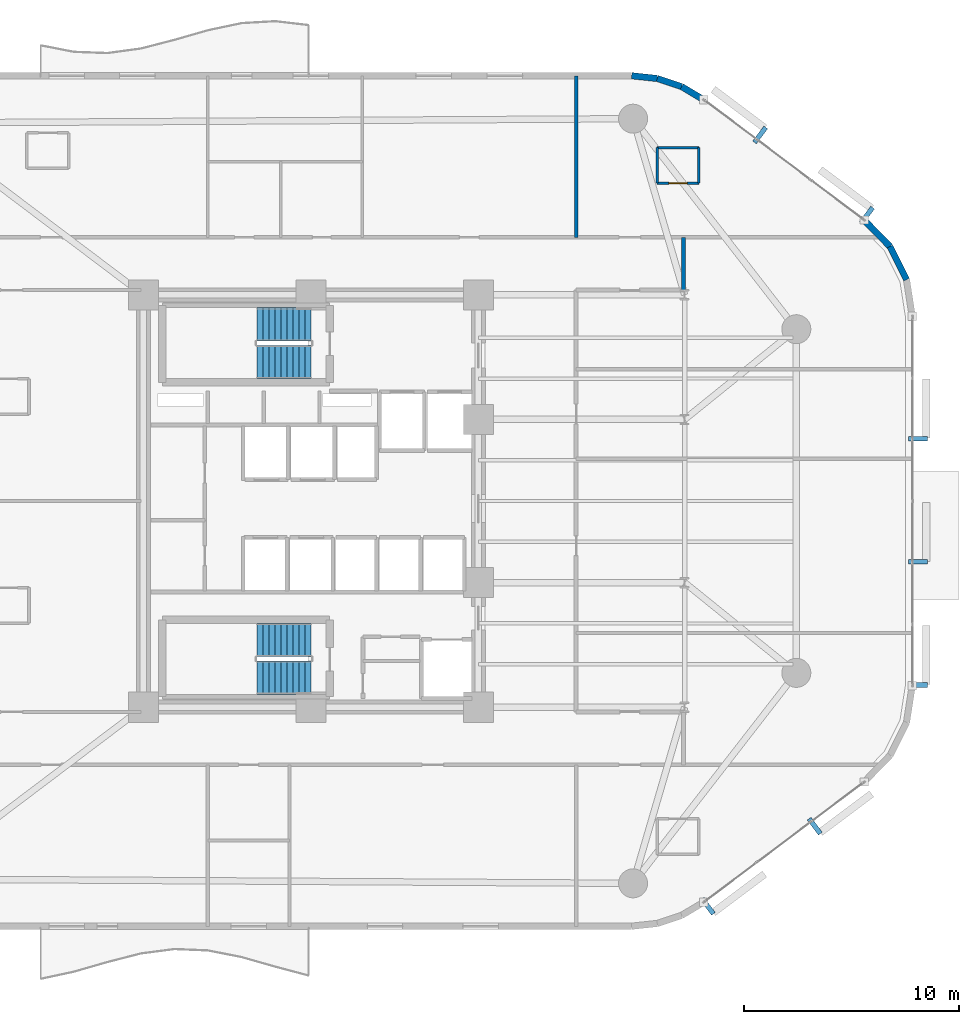
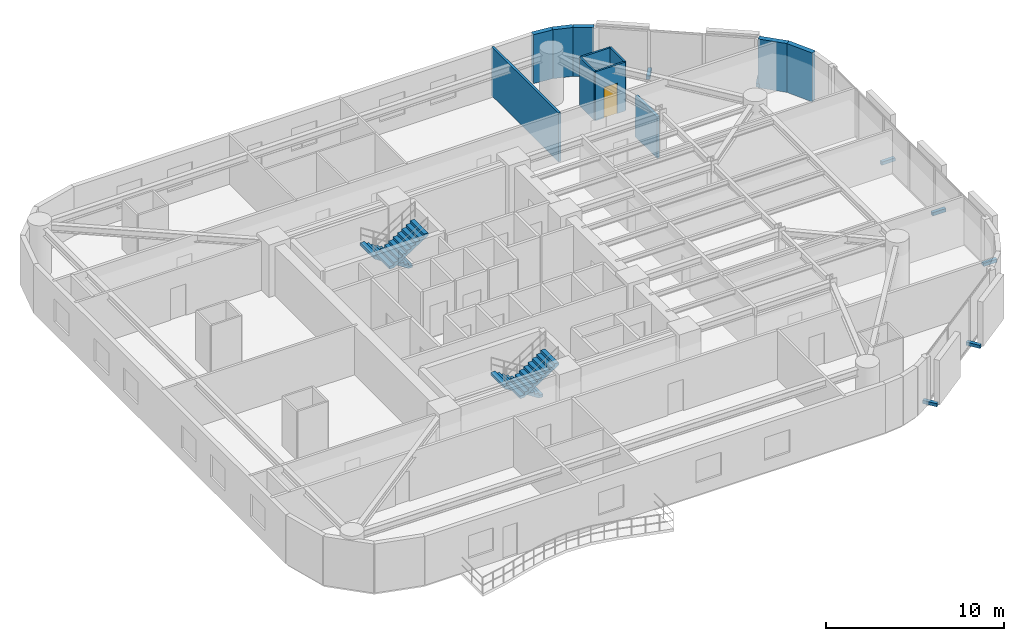
# One storey, part 13 of 15: 11 walls, 7 discrete accessories, 4 stair flights, 1 door, 1 opening, 2 elements without a shape of their own.
"""IFC4 building model written with IfcOpenShell, lengths in metres."""

from ifc_helpers import new_model, si_unit, direction, frame, frame_2d, origin, origin_2d, place, context, subcontext, project, spatial, polyline, rectangle, outline, extrude, material, layer, layer_set, type_object, element, fill, aggregate, save


model = new_model("IFC4")

# Units and contexts
model_context = context("Model", 3, precision=1e-05, world=origin(), true_north=direction((0.0, 1.0)))
body_context = subcontext(model_context, "Body", "Model", "MODEL_VIEW")
ifc_project = project(units=[si_unit("LENGTHUNIT", "METRE"), si_unit("AREAUNIT", "SQUARE_METRE"), si_unit("VOLUMEUNIT", "CUBIC_METRE"), si_unit("PLANEANGLEUNIT", "RADIAN"), si_unit("MASSUNIT", "GRAM", prefix="KILO")], contexts=[model_context])

# Site, building, storey
site_placement = place(None, origin())
site = spatial("IfcSite", under=ifc_project, at=site_placement, CompositionType="ELEMENT")
building_placement = place(site_placement, origin())
building = spatial("IfcBuilding", under=site, at=building_placement, Name="An Khanh Terracotta Commons", CompositionType="ELEMENT")
storey_placement = place(building_placement, frame((0.0, 0.0, 129.5)))
storey = spatial("IfcBuildingStorey", under=building, at=storey_placement, Name="L34", CompositionType="ELEMENT", Elevation=129.5)

# Walls
ifc_material_1 = material(Name="Fire-Rated Gypsum Board on Steel Stud", Category="steel")
ifc_layer_1 = layer(ifc_material_1, 0.179931640625, Name="Fire-Rated Gypsum Board on Steel Stud")
ifc_layer_set_1 = layer_set([ifc_layer_1], Name="Fire-Rated Gypsum Board on Steel Stud")
wall_type_1 = type_object("IfcWallType", Name="WALL-CORR-180", PredefinedType="PARTITIONING", material=ifc_layer_set_1)
wall_1_placement = place(storey_placement, frame((46.75, 33.820068359375, 0.0), z_axis=(0.0, 0.0, 1.0), x_axis=(0.0, 1.0, 0.0)))
element("IfcWall", 1, at=wall_1_placement, inside=storey, type_object=wall_type_1, Name="L34 Interior Partition IW-L34-E024", PredefinedType="PARTITIONING", context=body_context, shape_type="SweptSolid", body=[
    extrude(rectangle(XDim=2.4599609375, YDim=0.179931640625, at=frame_2d((1.22998046875, 0.0))), origin(), (0.0, 0.0, 1.0), 2.842041015625),
])
ifc_material_2 = material(Name="Precast concrete C40/50", Category="concrete")
ifc_layer_2 = layer(ifc_material_2, 0.300048828125, Name="Precast concrete C40/50")
ifc_layer_set_2 = layer_set([ifc_layer_2], Name="Precast concrete C40/50")
wall_type_2 = type_object("IfcWallType", Name="WALL-EXT-300", PredefinedType="SOLIDWALL", material=ifc_layer_set_2)
for number, where, z_axis, x_axis, name in (
    (2, (57.135009765625, 34.303955078125, 0.0), (0.0, 0.0, 1.0), (-0.4472135955, 0.894427191, 0.0), "L34 Insulated Terracotta Exterior Wall 14"),
    (3, (56.364013671875, 35.845947265625, 0.0), (0.0, 0.0, 1.0), (-0.6983450845, 0.715761233201, 0.0), "L34 Insulated Terracotta Exterior Wall 15"),
):
    element("IfcWall", number, at=place(storey_placement, frame(where, z_axis=z_axis, x_axis=x_axis)), inside=storey, type_object=wall_type_2, Name=name, PredefinedType="SOLIDWALL", context=body_context, shape_type="SweptSolid", body=[
        extrude(rectangle(XDim=1.72412109375, YDim=0.300048828125, at=frame_2d((0.862060546875, 0.0))), origin(), (0.0, 0.0, 1.0), 3.360107421875),
    ])
wall_2_placement = place(storey_placement, frame((47.693115234375, 42.679931640625, 0.0), z_axis=(0.0, 0.0, 1.0), x_axis=(-0.859320591642, 0.511437308749, 0.0)))
element("IfcWall", 4, at=wall_2_placement, inside=storey, type_object=wall_type_2, Name="L34 Insulated Terracotta Exterior Wall 17", PredefinedType="SOLIDWALL", context=body_context, shape_type="SweptSolid", body=[
    extrude(rectangle(XDim=1.19873046875, YDim=0.300048828125, at=frame_2d((0.599365234375, 0.0))), origin(), (0.0, 0.0, 1.0), 3.360107421875),
])
wall_3_placement = place(storey_placement, frame((46.6630859375, 43.29296875, 0.0), z_axis=(0.0, 0.0, 1.0), x_axis=(-0.948744332129, 0.316044604847, 0.0)))
element("IfcWall", 5, at=wall_3_placement, inside=storey, type_object=wall_type_2, Name="L34 Insulated Terracotta Exterior Wall 18", PredefinedType="SOLIDWALL", context=body_context, shape_type="SweptSolid", body=[
    extrude(rectangle(XDim=1.19970703125, YDim=0.300048828125, at=frame_2d((0.599853515625, 0.0))), origin(), (0.0, 0.0, 1.0), 3.360107421875),
])
wall_4_placement = place(storey_placement, frame((45.52490234375, 43.672119140625, 0.0), z_axis=(0.0, 0.0, 1.0), x_axis=(-0.994289103787, 0.106720092254, 0.0)))
element("IfcWall", 6, at=wall_4_placement, inside=storey, type_object=wall_type_2, Name="L34 Insulated Terracotta Exterior Wall 19", PredefinedType="SOLIDWALL", context=body_context, shape_type="SweptSolid", body=[
    extrude(rectangle(XDim=1.19873046875, YDim=0.300048828125, at=frame_2d((0.599365234375, 0.0))), origin(), (0.0, 0.0, 1.0), 3.360107421875),
])
ifc_material_3 = material(Name="Acoustic Gypsum Board Partition")
ifc_layer_3 = layer(ifc_material_3, 0.14990234375, Name="Acoustic Gypsum Board Partition")
ifc_layer_set_3 = layer_set([ifc_layer_3], Name="Acoustic Gypsum Board Partition")
wall_type_3 = type_object("IfcWallType", Name="WALL-PART-150", PredefinedType="PARTITIONING", material=ifc_layer_set_3)
wall_5_placement = place(storey_placement, frame((41.75, 36.280029296875, 0.0), z_axis=(0.0, 0.0, 1.0), x_axis=(0.0, 1.0, 0.0)))
element("IfcWall", 7, at=wall_5_placement, inside=storey, type_object=wall_type_3, Name="L34 Interior Partition IW-L34-E022", PredefinedType="PARTITIONING", context=body_context, shape_type="SweptSolid", body=[
    extrude(rectangle(XDim=7.52001953125, YDim=0.14990234375, at=frame_2d((3.760009765625, 0.0))), origin(), (0.0, 0.0, 1.0), 3.360107421875),
])
ifc_material_4 = material(Name="Moisture-Resistant Cement Board Partition")
ifc_layer_4 = layer(ifc_material_4, 0.1201171875, Name="Moisture-Resistant Cement Board Partition")
ifc_layer_set_4 = layer_set([ifc_layer_4], Name="Moisture-Resistant Cement Board Partition")
wall_type_4 = type_object("IfcWallType", Name="WALL-WET-120", PredefinedType="PARTITIONING", material=ifc_layer_set_4)
wall_6_placement = place(storey_placement, frame((45.51611328125, 40.450927734375, 0.0), z_axis=(0.0, 0.0, 1.0), x_axis=(1.0, 0.0, 0.0)))
element("IfcWall", 8, at=wall_6_placement, inside=storey, type_object=wall_type_4, Name="L34 Interior Partition IW-L34-FANN-BN", PredefinedType="PARTITIONING", context=body_context, shape_type="SweptSolid", body=[
    extrude(rectangle(XDim=1.949951171875, YDim=0.1201171875, at=frame_2d((0.97509765625, 0.0))), origin(), (0.0, 0.0, 1.0), 3.360107421875),
])

# Wall, opening, door
wall_7_placement = place(storey_placement, frame((47.466064453125, 38.801025390625, 0.0), z_axis=(0.0, 0.0, 1.0), x_axis=(-1.0, 0.0, 0.0)))
wall_7 = element("IfcWall", 9, at=wall_7_placement, inside=storey, type_object=wall_type_4, Name="L34 Interior Partition IW-L34-FANN-BS", PredefinedType="PARTITIONING", context=body_context, shape_type="SweptSolid", body=[
    extrude(rectangle(XDim=1.949951171875, YDim=0.1201171875, at=frame_2d((0.97509765625, 0.0))), origin(), (0.0, 0.0, 1.0), 3.360107421875),
])
opening_placement = place(wall_7_placement, frame((0.544921875, 0.0, 0.0)))
opening = element("IfcOpeningElement", 10, at=opening_placement, cuts=wall_7, Name="Opening D-ENS", PredefinedType="OPENING", context=body_context, shape_type="SweptSolid", body=[
    extrude(rectangle(XDim=0.860107421875, YDim=2.10009765625, at=frame_2d((0.43017578125, 1.050048828125))), frame((0.0, 0.070068359375, 0.0), z_axis=(0.0, -1.0, 0.0), x_axis=(1.0, 0.0, 0.0)), (0.0, 0.0, 1.0), 0.14013671875),
])
ifc_material_5 = material(Name="Moisture-Resistant Hardwood Timber Leaf", Category="wood")
door_type = type_object("IfcDoorType", Name="DOOR-BATH-860", OperationType="NOTDEFINED", PredefinedType="DOOR", material=ifc_material_5)
door_placement = place(opening_placement, origin())
door = element("IfcDoor", 11, at=door_placement, inside=storey, type_object=door_type, Name="L34 Studio FANN En-suite Door", OperationType="SINGLE_SWING_RIGHT", OverallHeight=2.10009765625, OverallWidth=0.860107421875, PredefinedType="DOOR", context=body_context, shape_type="SweptSolid", body=[
    extrude(rectangle(XDim=0.860107421875, YDim=2.10009765625, at=frame_2d((0.43017578125, 1.050048828125))), frame((0.0, 0.02490234375, 0.0), z_axis=(0.0, -1.0, 0.0), x_axis=(1.0, 0.0, 0.0)), (0.0, 0.0, 1.0), 0.050048828125),
])
fill(opening, door)

# Walls
for number, where, z_axis, x_axis, name in (
    (12, (45.51611328125, 40.450927734375, 0.0), (0.0, 0.0, 1.0), (0.0, -1.0, 0.0), "L34 Interior Partition IW-L34-FANN-BW"),
    (13, (47.466064453125, 38.801025390625, 0.0), (0.0, 0.0, 1.0), (0.0, 1.0, 0.0), "L34 Interior Partition IW-L34-FANN-BE"),
):
    element("IfcWall", number, at=place(storey_placement, frame(where, z_axis=z_axis, x_axis=x_axis)), inside=storey, type_object=wall_type_4, Name=name, PredefinedType="PARTITIONING", context=body_context, shape_type="SweptSolid", body=[
        extrude(rectangle(XDim=1.64990234375, YDim=0.1201171875, at=frame_2d((0.824951171875, 0.0))), origin(), (0.0, 0.0, 1.0), 3.360107421875),
    ])

# Stair, stair flights
stair_type = type_object("IfcStairType", Name="STAIR-CORE-1550", PredefinedType="HALF_TURN_STAIR", material=ifc_material_2)
stair_1_placement = place(storey_placement, origin())
stair_1 = element("IfcStair", 14, at=stair_1_placement, inside=storey, type_object=stair_type, Name="L34 Core Smokeproof Exit Stair ST-01", PredefinedType="HALF_TURN_STAIR")
stair_flight_type = type_object("IfcStairFlightType", Name="FLIGHT-CORE-1550", PredefinedType="STRAIGHT", material=ifc_material_2)
stair_flight_1_placement = place(storey_placement, frame((29.409912109375, 32.22509765625, 0.0), z_axis=(0.0, 0.0, 1.0), x_axis=(-1.0, 0.0, 0.0)))
stair_flight_1 = element("IfcStairFlight", 15, at=stair_flight_1_placement, type_object=stair_flight_type, Name="ST-01 flight 1", NumberOfRisers=10, NumberOfTreads=9, PredefinedType="STRAIGHT", RiserHeight=0.18, TreadLength=0.28, context=body_context, shape_type="SweptSolid", body=[
    extrude(outline(polyline([(0.0, 0.0), (0.0, 0.179931640625), (0.280029296875, 0.179931640625), (0.280029296875, 0.360107421875), (0.56005859375, 0.360107421875), (0.56005859375, 0.5400390625), (0.840087890625, 0.5400390625), (0.840087890625, 0.719970703125), (1.1201171875, 0.719970703125), (1.1201171875, 0.89990234375), (1.39990234375, 0.89990234375), (1.39990234375, 1.080078125), (1.679931640625, 1.080078125), (1.679931640625, 1.260009765625), (1.9599609375, 1.260009765625), (1.9599609375, 1.43994140625), (2.239990234375, 1.43994140625), (2.239990234375, 1.6201171875), (2.52001953125, 1.6201171875), (2.52001953125, 1.800048828125), (2.52001953125, 1.44189453125), (0.277099609375, 0.0), (0.0, 0.0)])), frame((0.0, 0.77490234375, 0.0), z_axis=(0.0, -1.0, 0.0), x_axis=(1.0, 0.0, 0.0)), (0.0, 0.0, 1.0), 1.550048828125),
])
stair_flight_2_placement = place(storey_placement, frame((26.889892578125, 30.47509765625, 1.800048828125), z_axis=(0.0, 0.0, 1.0), x_axis=(1.0, 0.0, 0.0)))
stair_flight_2 = element("IfcStairFlight", 16, at=stair_flight_2_placement, type_object=stair_flight_type, Name="ST-01 flight 2", NumberOfRisers=10, NumberOfTreads=9, PredefinedType="STRAIGHT", RiserHeight=0.18, TreadLength=0.28, context=body_context, shape_type="SweptSolid", body=[
    extrude(outline(polyline([(0.0, 0.0), (0.0, 0.179931640625), (0.280029296875, 0.179931640625), (0.280029296875, 0.360107421875), (0.56005859375, 0.360107421875), (0.56005859375, 0.5400390625), (0.840087890625, 0.5400390625), (0.840087890625, 0.719970703125), (1.1201171875, 0.719970703125), (1.1201171875, 0.89990234375), (1.39990234375, 0.89990234375), (1.39990234375, 1.080078125), (1.679931640625, 1.080078125), (1.679931640625, 1.260009765625), (1.9599609375, 1.260009765625), (1.9599609375, 1.43994140625), (2.239990234375, 1.43994140625), (2.239990234375, 1.6201171875), (2.52001953125, 1.6201171875), (2.52001953125, 1.800048828125), (2.52001953125, 1.44189453125), (0.277099609375, 0.0), (0.0, 0.0)])), frame((0.0, 0.77490234375, 0.0), z_axis=(0.0, -1.0, 0.0), x_axis=(1.0, 0.0, 0.0)), (0.0, 0.0, 1.0), 1.550048828125),
])
aggregate(stair_1, [stair_flight_1, stair_flight_2])

stair_2_placement = place(storey_placement, origin())
stair_2 = element("IfcStair", 17, at=stair_2_placement, inside=storey, type_object=stair_type, Name="L34 Core Smokeproof Exit Stair ST-02", PredefinedType="HALF_TURN_STAIR")
stair_flight_3_placement = place(storey_placement, frame((29.409912109375, 17.52490234375, 0.0), z_axis=(0.0, 0.0, 1.0), x_axis=(-1.0, 0.0, 0.0)))
stair_flight_3 = element("IfcStairFlight", 18, at=stair_flight_3_placement, type_object=stair_flight_type, Name="ST-02 flight 1", NumberOfRisers=10, NumberOfTreads=9, PredefinedType="STRAIGHT", RiserHeight=0.18, TreadLength=0.28, context=body_context, shape_type="SweptSolid", body=[
    extrude(outline(polyline([(0.0, 0.0), (0.0, 0.179931640625), (0.280029296875, 0.179931640625), (0.280029296875, 0.360107421875), (0.56005859375, 0.360107421875), (0.56005859375, 0.5400390625), (0.840087890625, 0.5400390625), (0.840087890625, 0.719970703125), (1.1201171875, 0.719970703125), (1.1201171875, 0.89990234375), (1.39990234375, 0.89990234375), (1.39990234375, 1.080078125), (1.679931640625, 1.080078125), (1.679931640625, 1.260009765625), (1.9599609375, 1.260009765625), (1.9599609375, 1.43994140625), (2.239990234375, 1.43994140625), (2.239990234375, 1.6201171875), (2.52001953125, 1.6201171875), (2.52001953125, 1.800048828125), (2.52001953125, 1.44189453125), (0.277099609375, 0.0), (0.0, 0.0)])), frame((0.0, 0.77490234375, 0.0), z_axis=(0.0, -1.0, 0.0), x_axis=(1.0, 0.0, 0.0)), (0.0, 0.0, 1.0), 1.550048828125),
])
stair_flight_4_placement = place(storey_placement, frame((26.889892578125, 15.77490234375, 1.800048828125), z_axis=(0.0, 0.0, 1.0), x_axis=(1.0, 0.0, 0.0)))
stair_flight_4 = element("IfcStairFlight", 19, at=stair_flight_4_placement, type_object=stair_flight_type, Name="ST-02 flight 2", NumberOfRisers=10, NumberOfTreads=9, PredefinedType="STRAIGHT", RiserHeight=0.18, TreadLength=0.28, context=body_context, shape_type="SweptSolid", body=[
    extrude(outline(polyline([(0.0, 0.0), (0.0, 0.179931640625), (0.280029296875, 0.179931640625), (0.280029296875, 0.360107421875), (0.56005859375, 0.360107421875), (0.56005859375, 0.5400390625), (0.840087890625, 0.5400390625), (0.840087890625, 0.719970703125), (1.1201171875, 0.719970703125), (1.1201171875, 0.89990234375), (1.39990234375, 0.89990234375), (1.39990234375, 1.080078125), (1.679931640625, 1.080078125), (1.679931640625, 1.260009765625), (1.9599609375, 1.260009765625), (1.9599609375, 1.43994140625), (2.239990234375, 1.43994140625), (2.239990234375, 1.6201171875), (2.52001953125, 1.6201171875), (2.52001953125, 1.800048828125), (2.52001953125, 1.44189453125), (0.277099609375, 0.0), (0.0, 0.0)])), frame((0.0, 0.77490234375, 0.0), z_axis=(0.0, -1.0, 0.0), x_axis=(1.0, 0.0, 0.0)), (0.0, 0.0, 1.0), 1.550048828125),
])
aggregate(stair_2, [stair_flight_3, stair_flight_4])

# Discrete accessories
ifc_material_6 = material(Name="Stainless Steel Grade 316L", Category="steel")
discrete_accessory_type = type_object("IfcDiscreteAccessoryType", Name="Stainless Outrigger Facade Bracket", PredefinedType="BRACKET", material=ifc_material_6)
for number, where, z_axis, x_axis, name in (
    (20, (47.8798828125, 5.12890625, 0.06982421875), (0.0, 0.0, 1.0), (0.800012856594, 0.599982857492, 0.0), "L34 Terracotta Screen Outrigger Bracket 1"),
    (21, (52.85791015625, 8.862060546875, 0.06982421875), (0.0, 0.0, 1.0), (0.800012856594, 0.599982857492, 0.0), "L34 Terracotta Screen Outrigger Bracket 3"),
    (22, (57.6650390625, 15.43505859375, 0.06982421875), (0.0, 0.0, 1.0), (0.0, 1.0, 0.0), "L34 Terracotta Screen Outrigger Bracket 1"),
    (23, (57.6650390625, 21.16796875, 0.06982421875), (0.0, 0.0, 1.0), (0.0, 1.0, 0.0), "L34 Terracotta Screen Outrigger Bracket 3"),
    (24, (57.6650390625, 26.902099609375, 0.06982421875), (0.0, 0.0, 1.0), (0.0, 1.0, 0.0), "L34 Terracotta Screen Outrigger Bracket 5"),
    (25, (55.291015625, 37.31298828125, 0.06982421875), (0.0, 0.0, 1.0), (-0.800012856594, 0.599982857492, 0.0), "L34 Terracotta Screen Outrigger Bracket 1"),
    (26, (50.31298828125, 41.0458984375, 0.06982421875), (0.0, 0.0, 1.0), (-0.800012856594, 0.599982857492, 0.0), "L34 Terracotta Screen Outrigger Bracket 3"),
):
    element("IfcDiscreteAccessory", number, at=place(storey_placement, frame(where, z_axis=z_axis, x_axis=x_axis)), inside=storey, type_object=discrete_accessory_type, Name=name, PredefinedType="BRACKET", context=body_context, shape_type="SweptSolid", body=[
        extrude(rectangle(XDim=0.219970703125, YDim=0.8701171875, at=origin_2d()), origin(), (0.0, 0.0, 1.0), 0.219970703125),
    ])

save(model, "model.ifc")
